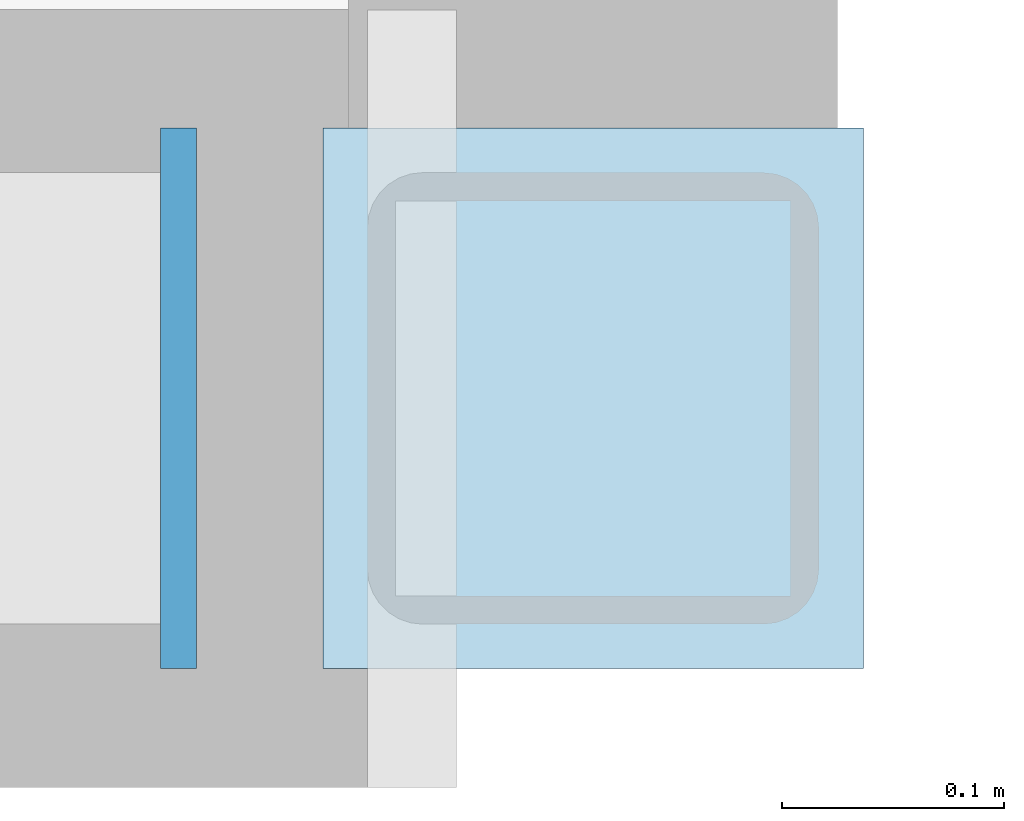
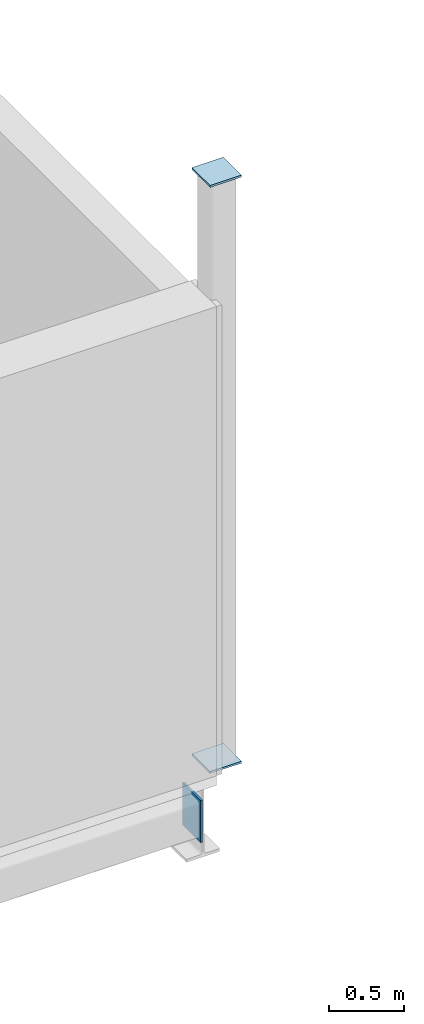
# One storey, part 13 of 27: 3 plates.
"""IFC4 building model written with IfcOpenShell, lengths in metres."""

from ifc_helpers import new_model, si_unit, direction, frame, origin, origin_2d, place, context, subcontext, project, spatial, rectangle, extrude, material, layer, layer_set, type_object, element, save


model = new_model("IFC4")

# Units and contexts
model_context = context("Model", 3, precision=1e-05, world=origin(), true_north=direction((0.0, 1.0)))
body_context = subcontext(model_context, "Body", "Model", "MODEL_VIEW")
ifc_project = project(units=[si_unit("LENGTHUNIT", "METRE"), si_unit("AREAUNIT", "SQUARE_METRE"), si_unit("VOLUMEUNIT", "CUBIC_METRE"), si_unit("PLANEANGLEUNIT", "RADIAN"), si_unit("MASSUNIT", "GRAM", prefix="KILO")], contexts=[model_context])

# Site, building, storey
site_placement = place(None, origin())
site = spatial("IfcSite", under=ifc_project, at=site_placement, CompositionType="ELEMENT")
building_placement = place(site_placement, origin())
building = spatial("IfcBuilding", under=site, at=building_placement, Name="Calvrana Isthmian Art Gallery", CompositionType="ELEMENT")
storey_placement = place(building_placement, frame((0.0, 0.0, 24.60009765625)))
storey = spatial("IfcBuildingStorey", under=building, at=storey_placement, Name="L05", CompositionType="ELEMENT", Elevation=24.60009765625)

# Plates
ifc_material = material(Name="Steel ASTM A572 Gr 50", Category="steel")
ifc_layer = layer(ifc_material, 0.01611328125, Name="Steel ASTM A572 Gr 50")
ifc_layer_set = layer_set([ifc_layer], Name="Steel ASTM A572 Gr 50")
plate_type = type_object("IfcPlateType", Name="PL-CAP-16", PredefinedType="SHEET", material=ifc_layer_set)
for number, where, z_axis, x_axis, name in (
    (1, (80.39990234375, 21.60009765625, -0.008056640625), (0.0, 0.0, 1.0), (1.0, 0.0, 0.0), "Hollow section end cap plate 187"),
    (2, (80.39990234375, 21.60009765625, 4.791748046875), (0.0, 0.0, 1.0), (1.0, 0.0, 0.0), "Hollow section end cap plate 188"),
):
    element("IfcPlate", number, at=place(storey_placement, frame(where, z_axis=z_axis, x_axis=x_axis)), inside=storey, type_object=plate_type, Name=name, PredefinedType="SHEET", context=body_context, shape_type="SweptSolid", body=[
        extrude(rectangle(XDim=0.2431640625, YDim=0.2431640625, at=origin_2d()), origin(), (0.0, 0.0, 1.0), 0.01611328125),
    ])
plate_placement = place(storey_placement, frame((80.21337890625, 21.60009765625, -0.5498046875), z_axis=(0.0, 0.0, 1.0), x_axis=(1.0, 0.0, 0.0)))
element("IfcPlate", 3, at=plate_placement, inside=storey, type_object=plate_type, Name="Hollow section end cap plate 496", PredefinedType="SHEET", context=body_context, shape_type="SweptSolid", body=[
    extrude(rectangle(XDim=0.01611328125, YDim=0.2431640625, at=origin_2d()), origin(), (0.0, 0.0, 1.0), 0.3447265625),
])

save(model, "model.ifc")
